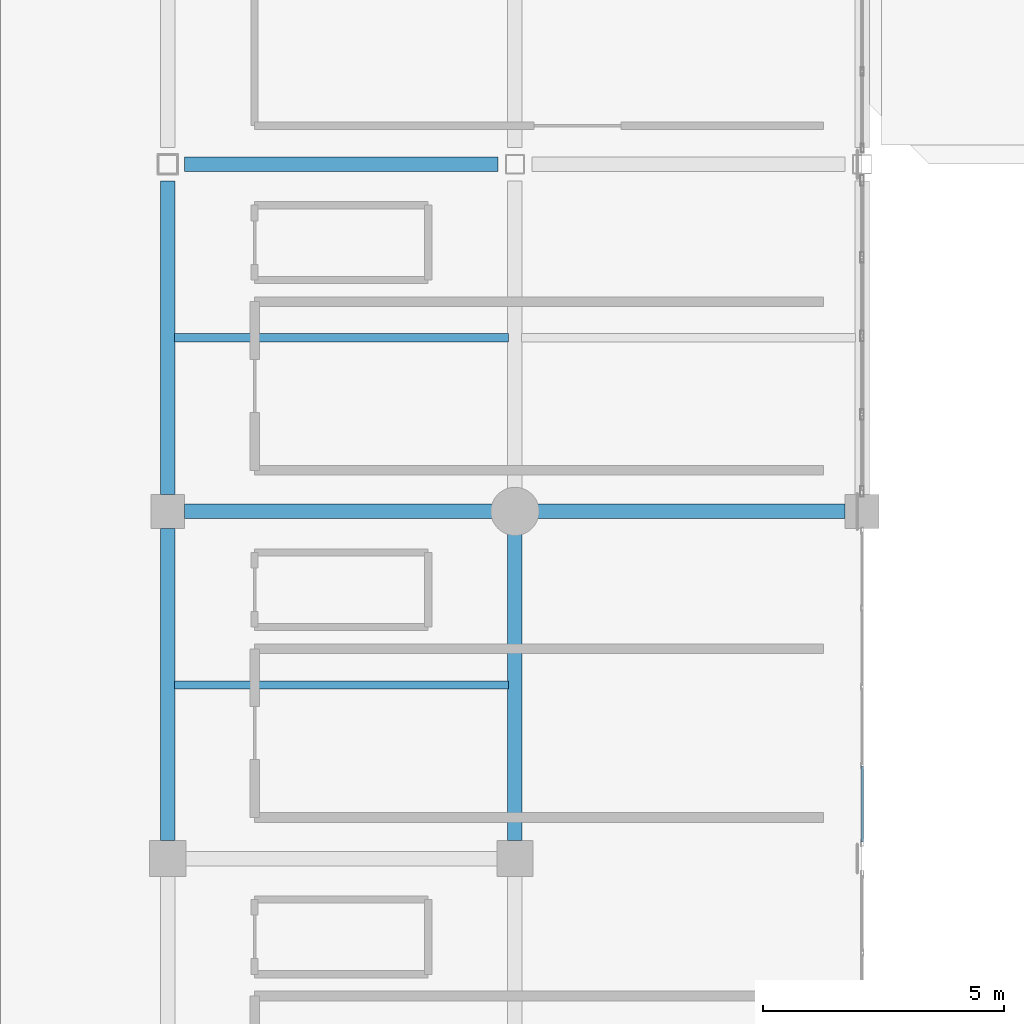
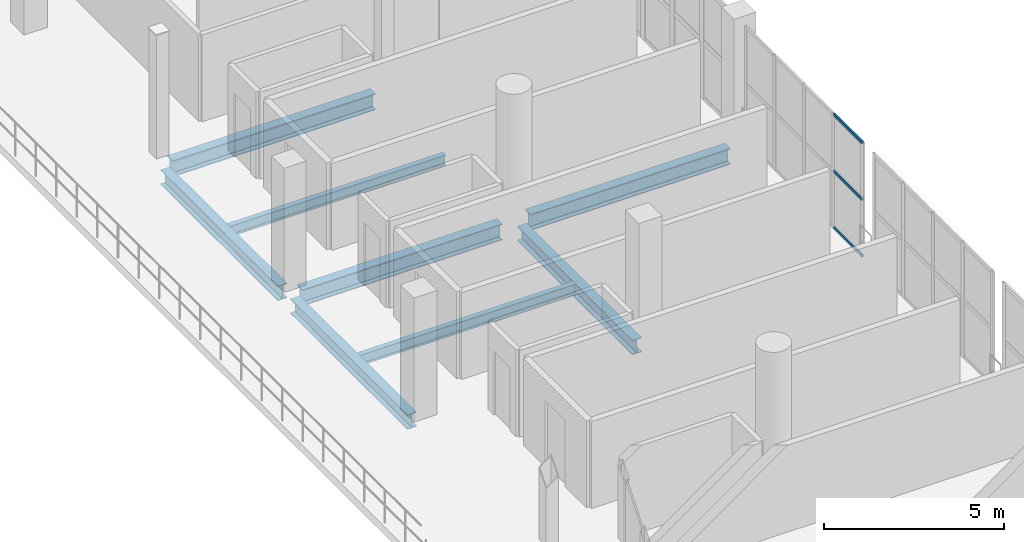
# One storey, part 63 of 130: 8 beams, 3 members, 1 element without a shape of its own.
"""IFC4 building model written with IfcOpenShell, lengths in metres."""

from ifc_helpers import new_model, si_unit, direction, frame, origin, origin_2d, place, context, subcontext, project, spatial, hollow_rectangle, i_section, extrude, material, material_profile, profile_set, type_object, element, aggregate, save


model = new_model("IFC4")

# Units and contexts
model_context = context("Model", 3, precision=1e-05, world=origin(), true_north=direction((0.0, 1.0)))
body_context = subcontext(model_context, "Body", "Model", "MODEL_VIEW")
ifc_project = project(units=[si_unit("LENGTHUNIT", "METRE"), si_unit("AREAUNIT", "SQUARE_METRE"), si_unit("VOLUMEUNIT", "CUBIC_METRE"), si_unit("PLANEANGLEUNIT", "RADIAN"), si_unit("MASSUNIT", "GRAM", prefix="KILO")], contexts=[model_context])

# Site, building, storey
site_placement = place(None, origin())
site = spatial("IfcSite", under=ifc_project, at=site_placement, CompositionType="ELEMENT")
building_placement = place(site_placement, origin())
building = spatial("IfcBuilding", under=site, at=building_placement, Name="Qandorah Velis Arena", CompositionType="ELEMENT")
storey_placement = place(building_placement, frame((0.0, 0.0, 9.60009765625)))
storey = spatial("IfcBuildingStorey", under=building, at=storey_placement, Name="L02", CompositionType="ELEMENT", Elevation=9.60009765625)

# Curtain wall, members
ifc_material_1 = material(Name="Solar-control low-E double glazing", Category="glass")
curtain_wall_type = type_object("IfcCurtainWallType", Name="ARC-CW-SYS16", PredefinedType="USERDEFINED", material=ifc_material_1)
curtain_wall_placement = place(storey_placement, origin())
curtain_wall = element("IfcCurtainWall", 1, at=curtain_wall_placement, inside=storey, type_object=curtain_wall_type, Name="Unitised curtain wall L02-112", ObjectType="UNITISED CURTAIN WALL", PredefinedType="USERDEFINED")
ifc_material_2 = material(Name="Champagne-bronze anodized aluminium 6063-T6", Category="aluminium")
ifc_material_profile_1 = material_profile(ifc_material_2, hollow_rectangle(XDim=0.054931640625, YDim=0.10009765625, WallThickness=0.0029296875, at=origin_2d()), Name="ALU TRANSOM 55x100")
ifc_profile_set_1 = profile_set([ifc_material_profile_1], Name="Champagne-bronze anodized aluminium 6063-T6")
member_type = type_object("IfcMemberType", Name="ARC-CWT-100", PredefinedType="USERDEFINED", material=ifc_profile_set_1)
member_1_placement = place(storey_placement, frame((122.39990234375, 79.54296875, 0.02734375), z_axis=(0.0, 1.0, 0.0), x_axis=(-1.0, 0.0, 0.0)))
member_1 = element("IfcMember", 2, at=member_1_placement, type_object=member_type, Name="CW16 transom 1.1", ObjectType="TRANSOM", PredefinedType="USERDEFINED", context=body_context, shape_type="SweptSolid", body=[
    extrude(hollow_rectangle(XDim=0.054931640625, YDim=0.10009765625, WallThickness=0.0029296875, at=origin_2d()), origin(), (0.0, 0.0, 1.0), 1.57275390625),
])
member_2_placement = place(storey_placement, frame((122.39990234375, 79.54296875, 1.93994140625), z_axis=(0.0, 1.0, 0.0), x_axis=(-1.0, 0.0, 0.0)))
member_2 = element("IfcMember", 3, at=member_2_placement, type_object=member_type, Name="CW16 transom 1.2", ObjectType="TRANSOM", PredefinedType="USERDEFINED", context=body_context, shape_type="SweptSolid", body=[
    extrude(hollow_rectangle(XDim=0.054931640625, YDim=0.10009765625, WallThickness=0.0029296875, at=origin_2d()), origin(), (0.0, 0.0, 1.0), 1.57275390625),
])
member_3_placement = place(storey_placement, frame((122.39990234375, 79.54296875, 3.852294921875), z_axis=(0.0, 1.0, 0.0), x_axis=(-1.0, 0.0, 0.0)))
member_3 = element("IfcMember", 4, at=member_3_placement, type_object=member_type, Name="CW16 transom 1.3", ObjectType="TRANSOM", PredefinedType="USERDEFINED", context=body_context, shape_type="SweptSolid", body=[
    extrude(hollow_rectangle(XDim=0.054931640625, YDim=0.10009765625, WallThickness=0.0029296875, at=origin_2d()), origin(), (0.0, 0.0, 1.0), 1.57275390625),
])
aggregate(curtain_wall, [member_1, member_2, member_3])

# Beams
ifc_material_3 = material(Name="Steel S355", Category="steel")
ifc_material_profile_2 = material_profile(ifc_material_3, i_section(OverallWidth=0.300048828125, OverallDepth=0.5, WebThickness=0.014404296875, FlangeThickness=0.028076171875, FilletRadius=0.027099609375, at=origin_2d()), Name="HEB 500")
ifc_profile_set_2 = profile_set([ifc_material_profile_2], Name="Steel S355")
beam_type_1 = type_object("IfcBeamType", Name="STR-BM-HEB500", PredefinedType="BEAM", material=ifc_profile_set_2)
beam_1_placement = place(storey_placement, frame((108.0, 79.574951171875, -0.530029296875), z_axis=(0.0, 1.0, 0.0), x_axis=(-1.0, 0.0, 0.0)))
element("IfcBeam", 5, at=beam_1_placement, inside=storey, type_object=beam_type_1, Name="Primary floor girder L02 Y-298", PredefinedType="BEAM", context=body_context, shape_type="SweptSolid", body=[
    extrude(i_section(OverallWidth=0.300048828125, OverallDepth=0.5, WebThickness=0.014404296875, FlangeThickness=0.028076171875, FilletRadius=0.027099609375, at=origin_2d()), origin(), (0.0, 0.0, 1.0), 6.47509765625),
])
beam_2_placement = place(storey_placement, frame((108.0, 86.75, -0.530029296875), z_axis=(0.0, 1.0, 0.0), x_axis=(-1.0, 0.0, 0.0)))
element("IfcBeam", 6, at=beam_2_placement, inside=storey, type_object=beam_type_1, Name="Primary floor girder L02 Y-299", PredefinedType="BEAM", context=body_context, shape_type="SweptSolid", body=[
    extrude(i_section(OverallWidth=0.300048828125, OverallDepth=0.5, WebThickness=0.014404296875, FlangeThickness=0.028076171875, FilletRadius=0.027099609375, at=origin_2d()), origin(), (0.0, 0.0, 1.0), 6.5),
])
beam_3_placement = place(storey_placement, frame((115.199951171875, 79.574951171875, -0.530029296875), z_axis=(0.0, 1.0, 0.0), x_axis=(-1.0, 0.0, 0.0)))
element("IfcBeam", 7, at=beam_3_placement, inside=storey, type_object=beam_type_1, Name="Primary floor girder L02 Y-315", PredefinedType="BEAM", context=body_context, shape_type="SweptSolid", body=[
    extrude(i_section(OverallWidth=0.300048828125, OverallDepth=0.5, WebThickness=0.014404296875, FlangeThickness=0.028076171875, FilletRadius=0.027099609375, at=origin_2d()), origin(), (0.0, 0.0, 1.0), 6.375),
])
ifc_material_profile_3 = material_profile(ifc_material_3, i_section(OverallWidth=0.300048828125, OverallDepth=0.550048828125, WebThickness=0.014892578125, FlangeThickness=0.029052734375, FilletRadius=0.027099609375, at=origin_2d()), Name="HEB 550")
ifc_profile_set_3 = profile_set([ifc_material_profile_3], Name="Steel S355")
beam_type_2 = type_object("IfcBeamType", Name="STR-BM-HEB550", PredefinedType="BEAM", material=ifc_profile_set_3)
beam_4_placement = place(storey_placement, frame((108.35009765625, 86.39990234375, -0.55517578125), z_axis=(1.0, 0.0, 0.0), x_axis=(0.0, 1.0, 0.0)))
element("IfcBeam", 8, at=beam_4_placement, inside=storey, type_object=beam_type_2, Name="Primary floor girder L02 X-112", PredefinedType="BEAM", context=body_context, shape_type="SweptSolid", body=[
    extrude(i_section(OverallWidth=0.300048828125, OverallDepth=0.550048828125, WebThickness=0.014892578125, FlangeThickness=0.029052734375, FilletRadius=0.027099609375, at=origin_2d()), origin(), (0.0, 0.0, 1.0), 6.39990234375),
])
beam_5_placement = place(storey_placement, frame((115.64990234375, 86.39990234375, -0.55517578125), z_axis=(1.0, 0.0, 0.0), x_axis=(0.0, 1.0, 0.0)))
element("IfcBeam", 9, at=beam_5_placement, inside=storey, type_object=beam_type_2, Name="Primary floor girder L02 X-113", PredefinedType="BEAM", context=body_context, shape_type="SweptSolid", body=[
    extrude(i_section(OverallWidth=0.300048828125, OverallDepth=0.550048828125, WebThickness=0.014892578125, FlangeThickness=0.029052734375, FilletRadius=0.027099609375, at=origin_2d()), origin(), (0.0, 0.0, 1.0), 6.400146484375),
])
beam_6_placement = place(storey_placement, frame((108.35009765625, 93.60009765625, -0.55517578125), z_axis=(1.0, 0.0, 0.0), x_axis=(0.0, 1.0, 0.0)))
element("IfcBeam", 10, at=beam_6_placement, inside=storey, type_object=beam_type_2, Name="Primary floor girder L02 X-120", PredefinedType="BEAM", context=body_context, shape_type="SweptSolid", body=[
    extrude(i_section(OverallWidth=0.300048828125, OverallDepth=0.550048828125, WebThickness=0.014892578125, FlangeThickness=0.029052734375, FilletRadius=0.027099609375, at=origin_2d()), origin(), (0.0, 0.0, 1.0), 6.5),
])
ifc_material_profile_4 = material_profile(ifc_material_3, i_section(OverallWidth=0.169921875, OverallDepth=0.360107421875, WebThickness=0.008056640625, FlangeThickness=0.0126953125, FilletRadius=0.01806640625, at=origin_2d()), Name="IPE 360")
ifc_profile_set_4 = profile_set([ifc_material_profile_4], Name="Steel S355")
beam_type_3 = type_object("IfcBeamType", Name="STR-JST-IPE360", PredefinedType="JOIST", material=ifc_profile_set_4)
for number, where, z_axis, x_axis, name in (
    (11, (108.135009765625, 82.800048828125, -0.460205078125), (1.0, 0.0, 0.0), (0.0, 1.0, 0.0), "Secondary floor joist L02-082"),
    (12, (108.135009765625, 90.0, -0.460205078125), (1.0, 0.0, 0.0), (0.0, 1.0, 0.0), "Secondary floor joist L02-083"),
):
    element("IfcBeam", number, at=place(storey_placement, frame(where, z_axis=z_axis, x_axis=x_axis)), inside=storey, type_object=beam_type_3, Name=name, PredefinedType="JOIST", context=body_context, shape_type="SweptSolid", body=[
        extrude(i_section(OverallWidth=0.169921875, OverallDepth=0.360107421875, WebThickness=0.008056640625, FlangeThickness=0.0126953125, FilletRadius=0.01806640625, at=origin_2d()), origin(), (0.0, 0.0, 1.0), 6.929931640625),
    ])

save(model, "model.ifc")
